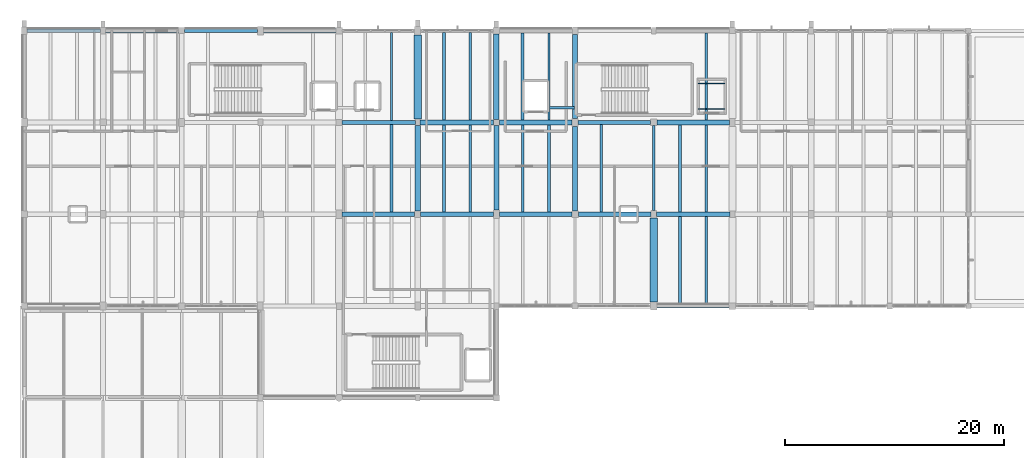
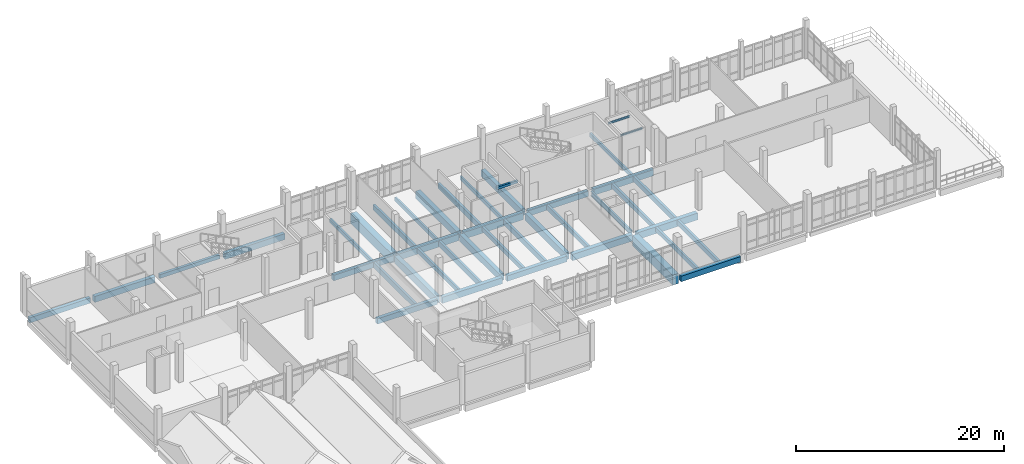
# One storey, part 15 of 41: 42 beams.
"""IFC4 building model written with IfcOpenShell, lengths in metres."""

from ifc_helpers import new_model, si_unit, direction, frame, origin, origin_2d, place, context, subcontext, project, spatial, rectangle, i_section, extrude, material, material_profile, profile_set, type_object, element, save


model = new_model("IFC4")

# Units and contexts
model_context = context("Model", 3, precision=1e-05, world=origin(), true_north=direction((0.0, 1.0)))
body_context = subcontext(model_context, "Body", "Model", "MODEL_VIEW")
ifc_project = project(units=[si_unit("LENGTHUNIT", "METRE"), si_unit("AREAUNIT", "SQUARE_METRE"), si_unit("VOLUMEUNIT", "CUBIC_METRE"), si_unit("PLANEANGLEUNIT", "RADIAN"), si_unit("MASSUNIT", "GRAM", prefix="KILO")], contexts=[model_context])

# Site, building, storey
site_placement = place(None, origin())
site = spatial("IfcSite", under=ifc_project, at=site_placement, CompositionType="ELEMENT")
building_placement = place(site_placement, origin())
building = spatial("IfcBuilding", under=site, at=building_placement, Name="Kalluvel Institute of Natural Sciences", CompositionType="ELEMENT")
storey_placement = place(building_placement, frame((0.0, 0.0, 32.39990234375)))
storey = spatial("IfcBuildingStorey", under=building, at=storey_placement, Name="L07", CompositionType="ELEMENT", Elevation=32.39990234375)

# Beams
ifc_material_1 = material(Name="Steel E350 Grade 350", Category="steel")
ifc_material_profile_1 = material_profile(ifc_material_1, i_section(OverallWidth=0.110107421875, OverallDepth=0.22509765625, WebThickness=0.006591796875, FlangeThickness=0.01171875, FilletRadius=0.011962890625, at=origin_2d()), Name="ISMB 225")
ifc_profile_set_1 = profile_set([ifc_material_profile_1], Name="Steel E350 Grade 350")
beam_type_1 = type_object("IfcBeamType", Name="BM-ISMB225", PredefinedType="BEAM", material=ifc_profile_set_1)
for number, where, z_axis, x_axis, name in (
    (1, (75.669921875, 120.820068359375, 3.8076171875), (1.0, 0.0, 0.0), (0.0, 1.0, 0.0), "LF4 overrun cap support beam S"),
    (2, (75.669921875, 123.179931640625, 3.8076171875), (1.0, 0.0, 0.0), (0.0, 1.0, 0.0), "LF4 overrun cap support beam N"),
):
    element("IfcBeam", number, at=place(storey_placement, frame(where, z_axis=z_axis, x_axis=x_axis)), inside=storey, type_object=beam_type_1, Name=name, PredefinedType="BEAM", context=body_context, shape_type="SweptSolid", body=[
        extrude(i_section(OverallWidth=0.110107421875, OverallDepth=0.22509765625, WebThickness=0.006591796875, FlangeThickness=0.01171875, FilletRadius=0.011962890625, at=origin_2d()), origin(), (0.0, 0.0, 1.0), 2.4599609375),
    ])
ifc_material_profile_2 = material_profile(ifc_material_1, i_section(OverallWidth=0.18994140625, OverallDepth=0.550048828125, WebThickness=0.01123046875, FlangeThickness=0.019287109375, FilletRadius=0.01806640625, at=origin_2d()), Name="ISMB 550")
ifc_profile_set_2 = profile_set([ifc_material_profile_2], Name="Steel E350 Grade 350")
beam_type_2 = type_object("IfcBeamType", Name="BM-ISMB550", PredefinedType="BEAM", material=ifc_profile_set_2)
beam_1_placement = place(storey_placement, frame((71.60009765625, 111.550048828125, -0.594970703125), z_axis=(0.0, 1.0, 0.0), x_axis=(-1.0, 0.0, 0.0)))
element("IfcBeam", 3, at=beam_1_placement, inside=storey, type_object=beam_type_2, Name="L07 girder GIR-L07-NS-X716-Y1112", PredefinedType="BEAM", context=body_context, shape_type="SweptSolid", body=[
    extrude(i_section(OverallWidth=0.18994140625, OverallDepth=0.550048828125, WebThickness=0.01123046875, FlangeThickness=0.019287109375, FilletRadius=0.01806640625, at=origin_2d()), origin(), (0.0, 0.0, 1.0), 7.75),
])
ifc_material_2 = material(Name="Concrete M40", Category="concrete")
ifc_material_profile_3 = material_profile(ifc_material_2, rectangle(XDim=0.3798828125, YDim=0.639892578125, at=origin_2d()), Name="RCB 380x640")
ifc_profile_set_3 = profile_set([ifc_material_profile_3], Name="Concrete M40")
beam_type_3 = type_object("IfcBeamType", Name="BM-RC380x640", PredefinedType="BEAM", material=ifc_profile_set_3)
beam_2_placement = place(storey_placement, frame((43.074951171875, 111.199951171875, -0.639892578125), z_axis=(1.0, 0.0, 0.0), x_axis=(0.0, 1.0, 0.0)))
element("IfcBeam", 4, at=beam_2_placement, inside=storey, type_object=beam_type_3, Name="L07 girder GIR-L07-EW-X428-Y1112", PredefinedType="BEAM", context=body_context, shape_type="SweptSolid", body=[
    extrude(rectangle(XDim=0.3798828125, YDim=0.639892578125, at=origin_2d()), origin(), (0.0, 0.0, 1.0), 6.650146484375),
])
beam_3_placement = place(storey_placement, frame((64.675048828125, 119.60009765625, -0.639892578125), z_axis=(1.0, 0.0, 0.0), x_axis=(0.0, 1.0, 0.0)))
element("IfcBeam", 5, at=beam_3_placement, inside=storey, type_object=beam_type_3, Name="L07 girder GIR-L07-EW-X644-Y1196", PredefinedType="BEAM", context=body_context, shape_type="SweptSolid", body=[
    extrude(rectangle(XDim=0.3798828125, YDim=0.639892578125, at=origin_2d()), origin(), (0.0, 0.0, 1.0), 6.625),
])
ifc_material_profile_4 = material_profile(ifc_material_2, rectangle(XDim=0.39990234375, YDim=0.64990234375, at=origin_2d()), Name="RCB 400x650")
ifc_profile_set_4 = profile_set([ifc_material_profile_4], Name="Concrete M40")
beam_type_4 = type_object("IfcBeamType", Name="BM-RC400x650", PredefinedType="BEAM", material=ifc_profile_set_4)
for number, where, z_axis, x_axis, name in (
    (6, (71.875, 102.800048828125, -0.64501953125), (1.0, 0.0, 0.0), (0.0, 1.0, 0.0), "L07 girder GIR-L07-EW-X716-Y1028"),
    (7, (57.47509765625, 111.199951171875, -0.64501953125), (1.0, 0.0, 0.0), (0.0, 1.0, 0.0), "L07 girder GIR-L07-EW-X572-Y1112"),
):
    element("IfcBeam", number, at=place(storey_placement, frame(where, z_axis=z_axis, x_axis=x_axis)), inside=storey, type_object=beam_type_4, Name=name, PredefinedType="BEAM", context=body_context, shape_type="SweptSolid", body=[
        extrude(rectangle(XDim=0.39990234375, YDim=0.64990234375, at=origin_2d()), origin(), (0.0, 0.0, 1.0), 6.625),
    ])
beam_4_placement = place(storey_placement, frame((43.074951171875, 119.60009765625, -0.64501953125), z_axis=(1.0, 0.0, 0.0), x_axis=(0.0, 1.0, 0.0)))
element("IfcBeam", 8, at=beam_4_placement, inside=storey, type_object=beam_type_4, Name="L07 girder GIR-L07-EW-X428-Y1196", PredefinedType="BEAM", context=body_context, shape_type="SweptSolid", body=[
    extrude(rectangle(XDim=0.39990234375, YDim=0.64990234375, at=origin_2d()), origin(), (0.0, 0.0, 1.0), 6.699951171875),
])
ifc_material_profile_5 = material_profile(ifc_material_2, rectangle(XDim=0.419921875, YDim=0.719970703125, at=origin_2d()), Name="RCB 420x720")
ifc_profile_set_5 = profile_set([ifc_material_profile_5], Name="Concrete M40")
beam_type_5 = type_object("IfcBeamType", Name="BM-RC420x720", PredefinedType="BEAM", material=ifc_profile_set_5)
for number, where, z_axis, x_axis, name in (
    (9, (50.27490234375, 111.199951171875, -0.679931640625), (1.0, 0.0, 0.0), (0.0, 1.0, 0.0), "L07 girder GIR-L07-EW-X500-Y1112"),
    (10, (71.89990234375, 119.60009765625, -0.679931640625), (1.0, 0.0, 0.0), (0.0, 1.0, 0.0), "L07 girder GIR-L07-EW-X716-Y1196"),
):
    element("IfcBeam", number, at=place(storey_placement, frame(where, z_axis=z_axis, x_axis=x_axis)), inside=storey, type_object=beam_type_5, Name=name, PredefinedType="BEAM", context=body_context, shape_type="SweptSolid", body=[
        extrude(rectangle(XDim=0.419921875, YDim=0.719970703125, at=origin_2d()), origin(), (0.0, 0.0, 1.0), 6.650146484375),
    ])
ifc_material_profile_6 = material_profile(ifc_material_2, rectangle(XDim=0.449951171875, YDim=0.75, at=origin_2d()), Name="RCB 450x750")
ifc_profile_set_6 = profile_set([ifc_material_profile_6], Name="Concrete M40")
beam_type_6 = type_object("IfcBeamType", Name="BM-RC450x750", PredefinedType="BEAM", material=ifc_profile_set_6)
beam_5_placement = place(storey_placement, frame((64.699951171875, 111.199951171875, -0.69482421875), z_axis=(1.0, 0.0, 0.0), x_axis=(0.0, 1.0, 0.0)))
element("IfcBeam", 11, at=beam_5_placement, inside=storey, type_object=beam_type_6, Name="L07 girder GIR-L07-EW-X644-Y1112", PredefinedType="BEAM", context=body_context, shape_type="SweptSolid", body=[
    extrude(rectangle(XDim=0.449951171875, YDim=0.75, at=origin_2d()), origin(), (0.0, 0.0, 1.0), 6.650146484375),
])
beam_6_placement = place(storey_placement, frame((50.22509765625, 119.60009765625, -0.69482421875), z_axis=(1.0, 0.0, 0.0), x_axis=(0.0, 1.0, 0.0)))
element("IfcBeam", 12, at=beam_6_placement, inside=storey, type_object=beam_type_6, Name="L07 girder GIR-L07-EW-X500-Y1196", PredefinedType="BEAM", context=body_context, shape_type="SweptSolid", body=[
    extrude(rectangle(XDim=0.449951171875, YDim=0.75, at=origin_2d()), origin(), (0.0, 0.0, 1.0), 6.699951171875),
])
ifc_material_profile_7 = material_profile(ifc_material_2, rectangle(XDim=0.449951171875, YDim=0.800048828125, at=origin_2d()), Name="RCB 450x800")
ifc_profile_set_7 = profile_set([ifc_material_profile_7], Name="Concrete M40")
beam_type_7 = type_object("IfcBeamType", Name="BM-RC450x800", PredefinedType="BEAM", material=ifc_profile_set_7)
beam_7_placement = place(storey_placement, frame((71.85009765625, 111.199951171875, -0.719970703125), z_axis=(1.0, 0.0, 0.0), x_axis=(0.0, 1.0, 0.0)))
element("IfcBeam", 13, at=beam_7_placement, inside=storey, type_object=beam_type_7, Name="L07 girder GIR-L07-EW-X716-Y1112", PredefinedType="BEAM", context=body_context, shape_type="SweptSolid", body=[
    extrude(rectangle(XDim=0.449951171875, YDim=0.800048828125, at=origin_2d()), origin(), (0.0, 0.0, 1.0), 6.724853515625),
])
beam_8_placement = place(storey_placement, frame((57.47509765625, 119.60009765625, -0.719970703125), z_axis=(1.0, 0.0, 0.0), x_axis=(0.0, 1.0, 0.0)))
element("IfcBeam", 14, at=beam_8_placement, inside=storey, type_object=beam_type_7, Name="L07 girder GIR-L07-EW-X572-Y1196", PredefinedType="BEAM", context=body_context, shape_type="SweptSolid", body=[
    extrude(rectangle(XDim=0.449951171875, YDim=0.800048828125, at=origin_2d()), origin(), (0.0, 0.0, 1.0), 6.64990234375),
])
beam_9_placement = place(storey_placement, frame((57.199951171875, 111.574951171875, -0.719970703125), z_axis=(0.0, 1.0, 0.0), x_axis=(-1.0, 0.0, 0.0)))
element("IfcBeam", 15, at=beam_9_placement, inside=storey, type_object=beam_type_7, Name="L07 girder GIR-L07-NS-X572-Y1112", PredefinedType="BEAM", context=body_context, shape_type="SweptSolid", body=[
    extrude(rectangle(XDim=0.449951171875, YDim=0.800048828125, at=origin_2d()), origin(), (0.0, 0.0, 1.0), 7.75),
])
beam_10_placement = place(storey_placement, frame((64.39990234375, 111.5, -0.719970703125), z_axis=(0.0, 1.0, 0.0), x_axis=(-1.0, 0.0, 0.0)))
element("IfcBeam", 16, at=beam_10_placement, inside=storey, type_object=beam_type_7, Name="L07 girder GIR-L07-NS-X644-Y1112", PredefinedType="BEAM", context=body_context, shape_type="SweptSolid", body=[
    extrude(rectangle(XDim=0.449951171875, YDim=0.800048828125, at=origin_2d()), origin(), (0.0, 0.0, 1.0), 7.72509765625),
])
beam_11_placement = place(storey_placement, frame((64.39990234375, 119.97509765625, -0.719970703125), z_axis=(0.0, 1.0, 0.0), x_axis=(-1.0, 0.0, 0.0)))
element("IfcBeam", 17, at=beam_11_placement, inside=storey, type_object=beam_type_7, Name="L07 girder GIR-L07-NS-X644-Y1196", PredefinedType="BEAM", context=body_context, shape_type="SweptSolid", body=[
    extrude(rectangle(XDim=0.449951171875, YDim=0.800048828125, at=origin_2d()), origin(), (0.0, 0.0, 1.0), 7.6748046875),
])
ifc_material_3 = material(Name="Concrete M50", Category="concrete")
ifc_material_profile_8 = material_profile(ifc_material_3, rectangle(XDim=0.5, YDim=0.85009765625, at=origin_2d()), Name="RCB 500x850")
ifc_profile_set_8 = profile_set([ifc_material_profile_8], Name="Concrete M50")
beam_type_8 = type_object("IfcBeamType", Name="BM-RC500x850", PredefinedType="BEAM", material=ifc_profile_set_8)
for number, where, z_axis, x_axis, name in (
    (18, (50.0, 111.47509765625, -0.744873046875), (0.0, 1.0, 0.0), (-1.0, 0.0, 0.0), "L07 girder GIR-L07-NS-X500-Y1112"),
    (19, (57.199951171875, 119.875, -0.744873046875), (0.0, 1.0, 0.0), (-1.0, 0.0, 0.0), "L07 girder GIR-L07-NS-X572-Y1196"),
):
    element("IfcBeam", number, at=place(storey_placement, frame(where, z_axis=z_axis, x_axis=x_axis)), inside=storey, type_object=beam_type_8, Name=name, PredefinedType="BEAM", context=body_context, shape_type="SweptSolid", body=[
        extrude(rectangle(XDim=0.5, YDim=0.85009765625, at=origin_2d()), origin(), (0.0, 0.0, 1.0), 7.824951171875),
    ])
ifc_material_profile_9 = material_profile(ifc_material_3, rectangle(XDim=0.64990234375, YDim=1.199951171875, at=origin_2d()), Name="RCB 650x1200")
ifc_profile_set_9 = profile_set([ifc_material_profile_9], Name="Concrete M50")
beam_type_9 = type_object("IfcBeamType", Name="BM-RC650x1200", PredefinedType="BEAM", material=ifc_profile_set_9)
beam_12_placement = place(storey_placement, frame((50.0, 119.89990234375, -0.919921875), z_axis=(0.0, 1.0, 0.0), x_axis=(-1.0, 0.0, 0.0)))
element("IfcBeam", 20, at=beam_12_placement, inside=storey, type_object=beam_type_9, Name="L07 girder GIR-L07-NS-X500-Y1196", PredefinedType="BEAM", context=body_context, shape_type="SweptSolid", body=[
    extrude(rectangle(XDim=0.64990234375, YDim=1.199951171875, at=origin_2d()), origin(), (0.0, 0.0, 1.0), 7.72509765625),
])
beam_13_placement = place(storey_placement, frame((71.60009765625, 103.175048828125, -0.919921875), z_axis=(0.0, 1.0, 0.0), x_axis=(-1.0, 0.0, 0.0)))
element("IfcBeam", 21, at=beam_13_placement, inside=storey, type_object=beam_type_9, Name="L07 girder GIR-L07-NS-X716-Y1028", PredefinedType="BEAM", context=body_context, shape_type="SweptSolid", body=[
    extrude(rectangle(XDim=0.64990234375, YDim=1.199951171875, at=origin_2d()), origin(), (0.0, 0.0, 1.0), 7.675048828125),
])
ifc_material_4 = material(Name="Sadarahalli Granite Precast Concrete M45", Category="masonry")
ifc_material_profile_10 = material_profile(ifc_material_4, rectangle(XDim=0.199951171875, YDim=0.300048828125, at=origin_2d()), Name="LIN 200x300")
ifc_profile_set_10 = profile_set([ifc_material_profile_10], Name="Sadarahalli Granite Precast Concrete M45")
beam_type_10 = type_object("IfcBeamType", Name="LN-200x300-INT", PredefinedType="LINTEL", material=ifc_profile_set_10)
beam_14_placement = place(storey_placement, frame((62.0400390625, 120.949951171875, 2.35009765625), z_axis=(1.0, 0.0, 0.0), x_axis=(0.0, 1.0, 0.0)))
element("IfcBeam", 22, at=beam_14_placement, inside=storey, type_object=beam_type_10, Name="L07 core coupling lintel B", PredefinedType="LINTEL", context=body_context, shape_type="SweptSolid", body=[
    extrude(rectangle(XDim=0.199951171875, YDim=0.300048828125, at=origin_2d()), origin(), (0.0, 0.0, 1.0), 2.2900390625),
])
ifc_material_profile_11 = material_profile(ifc_material_2, rectangle(XDim=0.300048828125, YDim=0.449951171875, at=origin_2d()), Name="RCB 300x450")
ifc_profile_set_11 = profile_set([ifc_material_profile_11], Name="Concrete M40")
beam_type_11 = type_object("IfcBeamType", Name="SP-RC300x450", PredefinedType="SPANDREL", material=ifc_profile_set_11)
beam_15_placement = place(storey_placement, frame((28.675048828125, 128.0, -0.544921875), z_axis=(1.0, 0.0, 0.0), x_axis=(0.0, 1.0, 0.0)))
element("IfcBeam", 23, at=beam_15_placement, inside=storey, type_object=beam_type_11, Name="L07 girder GIR-L07-EW-X284-Y1280", PredefinedType="SPANDREL", context=body_context, shape_type="SweptSolid", body=[
    extrude(rectangle(XDim=0.300048828125, YDim=0.449951171875, at=origin_2d()), origin(), (0.0, 0.0, 1.0), 6.64990234375),
])
ifc_material_profile_12 = material_profile(ifc_material_2, rectangle(XDim=0.35009765625, YDim=0.60009765625, at=origin_2d()), Name="RCB 350x600")
ifc_profile_set_12 = profile_set([ifc_material_profile_12], Name="Concrete M40")
beam_type_12 = type_object("IfcBeamType", Name="SP-RC350x600", PredefinedType="SPANDREL", material=ifc_profile_set_12)
beam_16_placement = place(storey_placement, frame((14.25, 128.0, -0.619873046875), z_axis=(1.0, 0.0, 0.0), x_axis=(0.0, 1.0, 0.0)))
element("IfcBeam", 24, at=beam_16_placement, inside=storey, type_object=beam_type_12, Name="L07 girder GIR-L07-EW-X140-Y1280", PredefinedType="SPANDREL", context=body_context, shape_type="SweptSolid", body=[
    extrude(rectangle(XDim=0.35009765625, YDim=0.60009765625, at=origin_2d()), origin(), (0.0, 0.0, 1.0), 6.72509765625),
])
ifc_material_profile_13 = material_profile(ifc_material_2, rectangle(XDim=0.39990234375, YDim=0.699951171875, at=origin_2d()), Name="RCB 400x700")
ifc_profile_set_13 = profile_set([ifc_material_profile_13], Name="Concrete M40")
beam_type_13 = type_object("IfcBeamType", Name="SP-RC400x700", PredefinedType="SPANDREL", material=ifc_profile_set_13)
beam_17_placement = place(storey_placement, frame((21.425048828125, 128.0, -0.669921875), z_axis=(1.0, 0.0, 0.0), x_axis=(0.0, 1.0, 0.0)))
element("IfcBeam", 25, at=beam_17_placement, inside=storey, type_object=beam_type_13, Name="L07 girder GIR-L07-EW-X212-Y1280", PredefinedType="SPANDREL", context=body_context, shape_type="SweptSolid", body=[
    extrude(rectangle(XDim=0.39990234375, YDim=0.699951171875, at=origin_2d()), origin(), (0.0, 0.0, 1.0), 6.699951171875),
])
beam_18_placement = place(storey_placement, frame((35.875, 128.0, -0.669921875), z_axis=(1.0, 0.0, 0.0), x_axis=(0.0, 1.0, 0.0)))
element("IfcBeam", 26, at=beam_18_placement, inside=storey, type_object=beam_type_13, Name="L07 girder GIR-L07-EW-X356-Y1280", PredefinedType="SPANDREL", context=body_context, shape_type="SweptSolid", body=[
    extrude(rectangle(XDim=0.39990234375, YDim=0.699951171875, at=origin_2d()), origin(), (0.0, 0.0, 1.0), 6.625),
])
ifc_material_profile_14 = material_profile(ifc_material_2, rectangle(XDim=0.199951171875, YDim=0.4599609375, at=origin_2d()), Name="WAF 200x460")
ifc_profile_set_14 = profile_set([ifc_material_profile_14], Name="Concrete M40")
beam_type_14 = type_object("IfcBeamType", Name="WJ-200x460", PredefinedType="JOIST", material=ifc_profile_set_14)
beam_19_placement = place(storey_placement, frame((47.60009765625, 119.800048828125, -0.5498046875), z_axis=(0.0, 1.0, 0.0), x_axis=(-1.0, 0.0, 0.0)))
element("IfcBeam", 27, at=beam_19_placement, inside=storey, type_object=beam_type_14, Name="L07 waffle joist RIB-L07-0537", PredefinedType="JOIST", context=body_context, shape_type="SweptSolid", body=[
    extrude(rectangle(XDim=0.199951171875, YDim=0.4599609375, at=origin_2d()), origin(), (0.0, 0.0, 1.0), 8.050048828125),
])
beam_20_placement = place(storey_placement, frame((54.800048828125, 119.824951171875, -0.5498046875), z_axis=(0.0, 1.0, 0.0), x_axis=(-1.0, 0.0, 0.0)))
element("IfcBeam", 28, at=beam_20_placement, inside=storey, type_object=beam_type_14, Name="L07 waffle joist RIB-L07-0543", PredefinedType="JOIST", context=body_context, shape_type="SweptSolid", body=[
    extrude(rectangle(XDim=0.199951171875, YDim=0.4599609375, at=origin_2d()), origin(), (0.0, 0.0, 1.0), 8.0),
])
beam_21_placement = place(storey_placement, frame((62.0, 119.824951171875, -0.5498046875), z_axis=(0.0, 1.0, 0.0), x_axis=(-1.0, 0.0, 0.0)))
element("IfcBeam", 29, at=beam_21_placement, inside=storey, type_object=beam_type_14, Name="L07 waffle joist RIB-L07-0549", PredefinedType="JOIST", context=body_context, shape_type="SweptSolid", body=[
    extrude(rectangle(XDim=0.199951171875, YDim=0.4599609375, at=origin_2d()), origin(), (0.0, 0.0, 1.0), 7.97509765625),
])
beam_22_placement = place(storey_placement, frame((76.39990234375, 119.81005859375, -0.5498046875), z_axis=(0.0, 1.0, 0.0), x_axis=(-1.0, 0.0, 0.0)))
element("IfcBeam", 30, at=beam_22_placement, inside=storey, type_object=beam_type_14, Name="L07 waffle joist RIB-L07-0556", PredefinedType="JOIST", context=body_context, shape_type="SweptSolid", body=[
    extrude(rectangle(XDim=0.199951171875, YDim=0.4599609375, at=origin_2d()), origin(), (0.0, 0.0, 1.0), 7.989990234375),
])
ifc_material_profile_15 = material_profile(ifc_material_2, rectangle(XDim=0.239990234375, YDim=0.52001953125, at=origin_2d()), Name="WAF 240x520")
ifc_profile_set_15 = profile_set([ifc_material_profile_15], Name="Concrete M40")
beam_type_15 = type_object("IfcBeamType", Name="WJ-240x520", PredefinedType="JOIST", material=ifc_profile_set_15)
beam_23_placement = place(storey_placement, frame((52.39990234375, 111.409912109375, -0.579833984375), z_axis=(0.0, 1.0, 0.0), x_axis=(-1.0, 0.0, 0.0)))
element("IfcBeam", 31, at=beam_23_placement, inside=storey, type_object=beam_type_15, Name="L07 waffle joist RIB-L07-0540", PredefinedType="JOIST", context=body_context, shape_type="SweptSolid", body=[
    extrude(rectangle(XDim=0.239990234375, YDim=0.52001953125, at=origin_2d()), origin(), (0.0, 0.0, 1.0), 7.965087890625),
])
beam_24_placement = place(storey_placement, frame((74.0, 103.0, -0.579833984375), z_axis=(0.0, 1.0, 0.0), x_axis=(-1.0, 0.0, 0.0)))
element("IfcBeam", 32, at=beam_24_placement, inside=storey, type_object=beam_type_15, Name="L07 waffle joist RIB-L07-0552", PredefinedType="JOIST", context=body_context, shape_type="SweptSolid", body=[
    extrude(rectangle(XDim=0.239990234375, YDim=0.52001953125, at=origin_2d()), origin(), (0.0, 0.0, 1.0), 7.97509765625),
])
ifc_material_profile_16 = material_profile(ifc_material_2, rectangle(XDim=0.25, YDim=0.550048828125, at=origin_2d()), Name="WAF 250x550")
ifc_profile_set_16 = profile_set([ifc_material_profile_16], Name="Concrete M40")
beam_type_16 = type_object("IfcBeamType", Name="WJ-250x550", PredefinedType="JOIST", material=ifc_profile_set_16)
beam_25_placement = place(storey_placement, frame((59.60009765625, 111.39990234375, -0.594970703125), z_axis=(0.0, 1.0, 0.0), x_axis=(-1.0, 0.0, 0.0)))
element("IfcBeam", 33, at=beam_25_placement, inside=storey, type_object=beam_type_16, Name="L07 waffle joist RIB-L07-0546", PredefinedType="JOIST", context=body_context, shape_type="SweptSolid", body=[
    extrude(rectangle(XDim=0.25, YDim=0.550048828125, at=origin_2d()), origin(), (0.0, 0.0, 1.0), 7.97509765625),
])
beam_26_placement = place(storey_placement, frame((66.800048828125, 111.425048828125, -0.594970703125), z_axis=(0.0, 1.0, 0.0), x_axis=(-1.0, 0.0, 0.0)))
element("IfcBeam", 34, at=beam_26_placement, inside=storey, type_object=beam_type_16, Name="L07 waffle joist RIB-L07-0551", PredefinedType="JOIST", context=body_context, shape_type="SweptSolid", body=[
    extrude(rectangle(XDim=0.25, YDim=0.550048828125, at=origin_2d()), origin(), (0.0, 0.0, 1.0), 7.98486328125),
])
beam_27_placement = place(storey_placement, frame((74.0, 111.425048828125, -0.594970703125), z_axis=(0.0, 1.0, 0.0), x_axis=(-1.0, 0.0, 0.0)))
element("IfcBeam", 35, at=beam_27_placement, inside=storey, type_object=beam_type_16, Name="L07 waffle joist RIB-L07-0554", PredefinedType="JOIST", context=body_context, shape_type="SweptSolid", body=[
    extrude(rectangle(XDim=0.25, YDim=0.550048828125, at=origin_2d()), origin(), (0.0, 0.0, 1.0), 7.96484375),
])
ifc_material_profile_17 = material_profile(ifc_material_2, rectangle(XDim=0.25, YDim=0.60009765625, at=origin_2d()), Name="WAF 250x600")
ifc_profile_set_17 = profile_set([ifc_material_profile_17], Name="Concrete M40")
beam_type_17 = type_object("IfcBeamType", Name="WJ-250x600", PredefinedType="JOIST", material=ifc_profile_set_17)
beam_28_placement = place(storey_placement, frame((52.39990234375, 119.824951171875, -0.619873046875), z_axis=(0.0, 1.0, 0.0), x_axis=(-1.0, 0.0, 0.0)))
element("IfcBeam", 36, at=beam_28_placement, inside=storey, type_object=beam_type_17, Name="L07 waffle joist RIB-L07-0542", PredefinedType="JOIST", context=body_context, shape_type="SweptSolid", body=[
    extrude(rectangle(XDim=0.25, YDim=0.60009765625, at=origin_2d()), origin(), (0.0, 0.0, 1.0), 8.0),
])
beam_29_placement = place(storey_placement, frame((76.39990234375, 103.0, -0.619873046875), z_axis=(0.0, 1.0, 0.0), x_axis=(-1.0, 0.0, 0.0)))
element("IfcBeam", 37, at=beam_29_placement, inside=storey, type_object=beam_type_17, Name="L07 waffle joist RIB-L07-0553", PredefinedType="JOIST", context=body_context, shape_type="SweptSolid", body=[
    extrude(rectangle(XDim=0.25, YDim=0.60009765625, at=origin_2d()), origin(), (0.0, 0.0, 1.0), 7.97509765625),
])
ifc_material_profile_18 = material_profile(ifc_material_3, rectangle(XDim=0.260009765625, YDim=0.6201171875, at=origin_2d()), Name="WAF 260x620")
ifc_profile_set_18 = profile_set([ifc_material_profile_18], Name="Concrete M50")
beam_type_18 = type_object("IfcBeamType", Name="WJ-260x620", PredefinedType="JOIST", material=ifc_profile_set_18)
beam_30_placement = place(storey_placement, frame((47.60009765625, 111.389892578125, -0.6298828125), z_axis=(0.0, 1.0, 0.0), x_axis=(-1.0, 0.0, 0.0)))
element("IfcBeam", 38, at=beam_30_placement, inside=storey, type_object=beam_type_18, Name="L07 waffle joist RIB-L07-0535", PredefinedType="JOIST", context=body_context, shape_type="SweptSolid", body=[
    extrude(rectangle(XDim=0.260009765625, YDim=0.6201171875, at=origin_2d()), origin(), (0.0, 0.0, 1.0), 8.010009765625),
])
beam_31_placement = place(storey_placement, frame((54.800048828125, 111.409912109375, -0.6298828125), z_axis=(0.0, 1.0, 0.0), x_axis=(-1.0, 0.0, 0.0)))
element("IfcBeam", 39, at=beam_31_placement, inside=storey, type_object=beam_type_18, Name="L07 waffle joist RIB-L07-0541", PredefinedType="JOIST", context=body_context, shape_type="SweptSolid", body=[
    extrude(rectangle(XDim=0.260009765625, YDim=0.6201171875, at=origin_2d()), origin(), (0.0, 0.0, 1.0), 7.965087890625),
])
for number, where, z_axis, x_axis, name in (
    (40, (62.0, 111.39990234375, -0.6298828125), (0.0, 1.0, 0.0), (-1.0, 0.0, 0.0), "L07 waffle joist RIB-L07-0547"),
    (41, (59.60009765625, 119.824951171875, -0.6298828125), (0.0, 1.0, 0.0), (-1.0, 0.0, 0.0), "L07 waffle joist RIB-L07-0548"),
):
    element("IfcBeam", number, at=place(storey_placement, frame(where, z_axis=z_axis, x_axis=x_axis)), inside=storey, type_object=beam_type_18, Name=name, PredefinedType="JOIST", context=body_context, shape_type="SweptSolid", body=[
        extrude(rectangle(XDim=0.260009765625, YDim=0.6201171875, at=origin_2d()), origin(), (0.0, 0.0, 1.0), 7.97509765625),
    ])
beam_32_placement = place(storey_placement, frame((76.39990234375, 111.425048828125, -0.6298828125), z_axis=(0.0, 1.0, 0.0), x_axis=(-1.0, 0.0, 0.0)))
element("IfcBeam", 42, at=beam_32_placement, inside=storey, type_object=beam_type_18, Name="L07 waffle joist RIB-L07-0555", PredefinedType="JOIST", context=body_context, shape_type="SweptSolid", body=[
    extrude(rectangle(XDim=0.260009765625, YDim=0.6201171875, at=origin_2d()), origin(), (0.0, 0.0, 1.0), 7.96484375),
])

save(model, "model.ifc")
